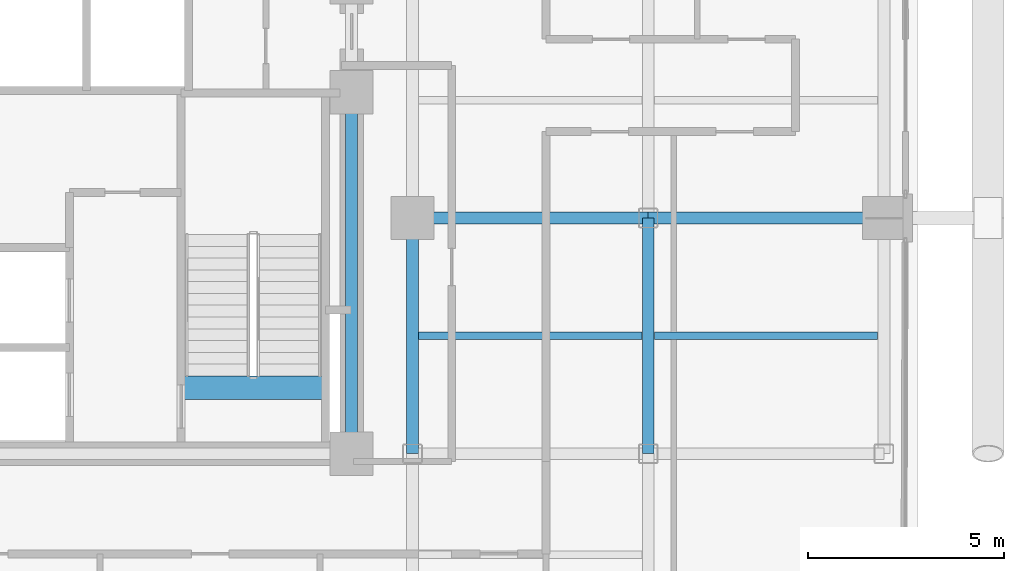
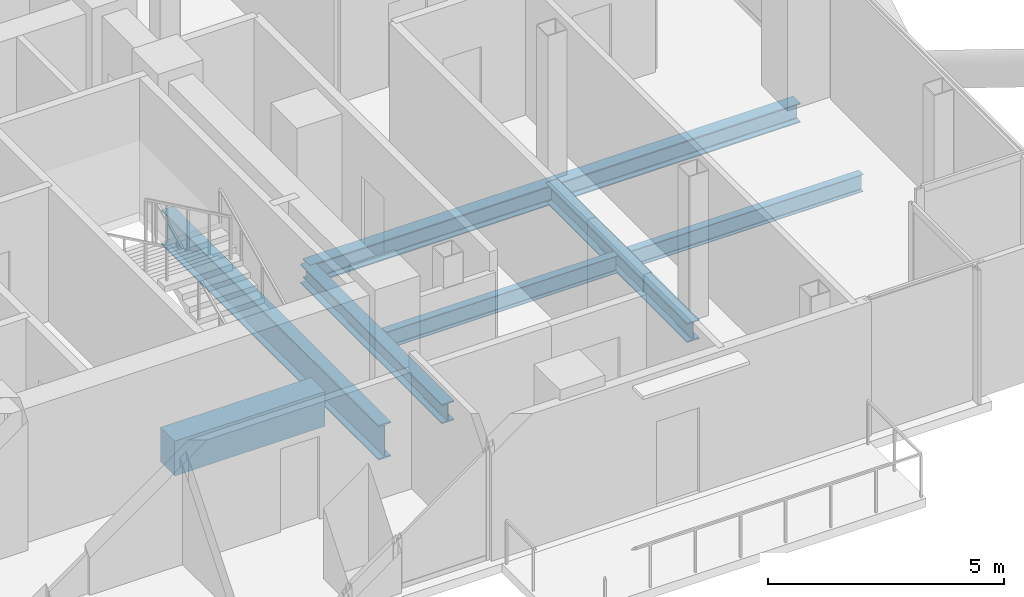
# One storey, part 11 of 28: 8 beams.
"""IFC4 building model written with IfcOpenShell, lengths in metres."""

from ifc_helpers import new_model, si_unit, direction, frame, origin, origin_2d, place, context, subcontext, project, spatial, rectangle, i_section, extrude, material, material_profile, profile_set, type_object, element, save


model = new_model("IFC4")

# Units and contexts
model_context = context("Model", 3, precision=1e-05, world=origin(), true_north=direction((0.0, 1.0)))
body_context = subcontext(model_context, "Body", "Model", "MODEL_VIEW")
ifc_project = project(units=[si_unit("LENGTHUNIT", "METRE"), si_unit("AREAUNIT", "SQUARE_METRE"), si_unit("VOLUMEUNIT", "CUBIC_METRE"), si_unit("PLANEANGLEUNIT", "RADIAN"), si_unit("MASSUNIT", "GRAM", prefix="KILO"), si_unit("THERMODYNAMICTEMPERATUREUNIT", "KELVIN"), si_unit("POWERUNIT", "WATT")], contexts=[model_context])

# Site, building, storey
site_placement = place(None, origin())
site = spatial("IfcSite", under=ifc_project, at=site_placement, CompositionType="ELEMENT")
building_placement = place(site_placement, origin())
building = spatial("IfcBuilding", under=site, at=building_placement, Name="Svarakhadi Broadcast Tower", CompositionType="ELEMENT")
storey_placement = place(building_placement, frame((0.0, 0.0, 107.10009765625)))
storey = spatial("IfcBuildingStorey", under=building, at=storey_placement, Name="L25", CompositionType="ELEMENT", Elevation=107.10009765625)

# Beams
ifc_material_1 = material(Name="Steel S355J2 (IS 2062 E350C)", Category="steel")
ifc_material_profile_1 = material_profile(ifc_material_1, i_section(OverallWidth=0.18994140625, OverallDepth=0.449951171875, WebThickness=0.009521484375, FlangeThickness=0.0146484375, FilletRadius=0.02099609375, at=origin_2d()), Name="NPB 450x190x78")
ifc_profile_set_1 = profile_set([ifc_material_profile_1], Name="Steel S355J2 (IS 2062 E350C)")
beam_type_1 = type_object("IfcBeamType", Name="Beam_NPB450", PredefinedType="BEAM", material=ifc_profile_set_1)
for number, where, z_axis, x_axis, name in (
    (1, (35.31005859375, 9.0, -0.4501953125), (1.0, 0.0, 0.0), (0.0, 1.0, 0.0), "L25 Secondary Composite Beam SB020"),
    (2, (41.31005859375, 9.0, -0.4501953125), (1.0, 0.0, 0.0), (0.0, 1.0, 0.0), "L25 Secondary Composite Beam SB022"),
):
    element("IfcBeam", number, at=place(storey_placement, frame(where, z_axis=z_axis, x_axis=x_axis)), inside=storey, type_object=beam_type_1, Name=name, PredefinedType="BEAM", context=body_context, shape_type="SweptSolid", body=[
        extrude(i_section(OverallWidth=0.18994140625, OverallDepth=0.449951171875, WebThickness=0.009521484375, FlangeThickness=0.0146484375, FilletRadius=0.02099609375, at=origin_2d()), origin(), (0.0, 0.0, 1.0), 5.679931640625),
    ])
ifc_material_2 = material(Name="Concrete C50/60 (IS 456 M60)", Category="concrete")
ifc_material_profile_2 = material_profile(ifc_material_2, rectangle(XDim=0.60009765625, YDim=0.89990234375, at=origin_2d()), Name="RC 600x900")
ifc_profile_set_2 = profile_set([ifc_material_profile_2], Name="Concrete C50/60 (IS 456 M60)")
beam_type_2 = type_object("IfcBeamType", Name="Coupling_RC600", PredefinedType="USERDEFINED", material=ifc_profile_set_2)
beam_1_placement = place(storey_placement, frame((29.260009765625, 7.679931640625, -0.4501953125), z_axis=(1.0, 0.0, 0.0), x_axis=(0.0, 1.0, 0.0)))
element("IfcBeam", 3, at=beam_1_placement, inside=storey, type_object=beam_type_2, Name="L25 Stair ST-02 Landing Throat Trimmer Beam CB-01", ObjectType="GIRDER", PredefinedType="USERDEFINED", context=body_context, shape_type="SweptSolid", body=[
    extrude(rectangle(XDim=0.60009765625, YDim=0.89990234375, at=origin_2d()), origin(), (0.0, 0.0, 1.0), 3.679931640625),
])
ifc_material_profile_3 = material_profile(ifc_material_1, i_section(OverallWidth=0.300048828125, OverallDepth=0.5, WebThickness=0.014404296875, FlangeThickness=0.028076171875, FilletRadius=0.027099609375, at=origin_2d()), Name="WPB 500x300x187")
ifc_profile_set_3 = profile_set([ifc_material_profile_3], Name="Steel S355J2 (IS 2062 E350C)")
beam_type_3 = type_object("IfcBeamType", Name="Girder_WPB500", PredefinedType="USERDEFINED", material=ifc_profile_set_3)
for number, where, z_axis, x_axis, name in (
    (4, (35.14990234375, 12.0, -0.47509765625), (1.0, 0.0, 0.0), (0.0, 1.0, 0.0), "L25 Primary E-W Girder G021"),
    (5, (41.14990234375, 12.0, -0.47509765625), (1.0, 0.0, 0.0), (0.0, 1.0, 0.0), "L25 Primary E-W Girder G022"),
    (6, (35.14990234375, 6.0, -0.47509765625), (0.0, 1.0, 0.0), (-1.0, 0.0, 0.0), "L25 Primary N-S Girder G068"),
    (7, (41.14990234375, 6.0, -0.47509765625), (0.0, 1.0, 0.0), (-1.0, 0.0, 0.0), "L25 Primary N-S Girder G071"),
):
    element("IfcBeam", number, at=place(storey_placement, frame(where, z_axis=z_axis, x_axis=x_axis)), inside=storey, type_object=beam_type_3, Name=name, ObjectType="GIRDER", PredefinedType="USERDEFINED", context=body_context, shape_type="SweptSolid", body=[
        extrude(i_section(OverallWidth=0.300048828125, OverallDepth=0.5, WebThickness=0.014404296875, FlangeThickness=0.028076171875, FilletRadius=0.027099609375, at=origin_2d()), origin(), (0.0, 0.0, 1.0), 6.0),
    ])
ifc_material_3 = material(Name="Steel S460ML (IS 2062 E450BR)", Category="steel")
ifc_material_profile_4 = material_profile(ifc_material_3, i_section(OverallWidth=0.300048828125, OverallDepth=0.89990234375, WebThickness=0.0185546875, FlangeThickness=0.034912109375, FilletRadius=0.030029296875, at=origin_2d()), Name="WPB 900x300x291")
ifc_profile_set_4 = profile_set([ifc_material_profile_4], Name="Steel S460ML (IS 2062 E450BR)")
beam_type_4 = type_object("IfcBeamType", Name="Girder_WPB900", PredefinedType="USERDEFINED", material=ifc_profile_set_4)
beam_2_placement = place(storey_placement, frame((33.60009765625, 6.0, -0.675048828125), z_axis=(0.0, 1.0, 0.0), x_axis=(-1.0, 0.0, 0.0)))
element("IfcBeam", 8, at=beam_2_placement, inside=storey, type_object=beam_type_4, Name="L25 Primary N-S Girder G065", ObjectType="GIRDER", PredefinedType="USERDEFINED", context=body_context, shape_type="SweptSolid", body=[
    extrude(i_section(OverallWidth=0.300048828125, OverallDepth=0.89990234375, WebThickness=0.0185546875, FlangeThickness=0.034912109375, FilletRadius=0.030029296875, at=origin_2d()), origin(), (0.0, 0.0, 1.0), 9.199951171875),
])

save(model, "model.ifc")
